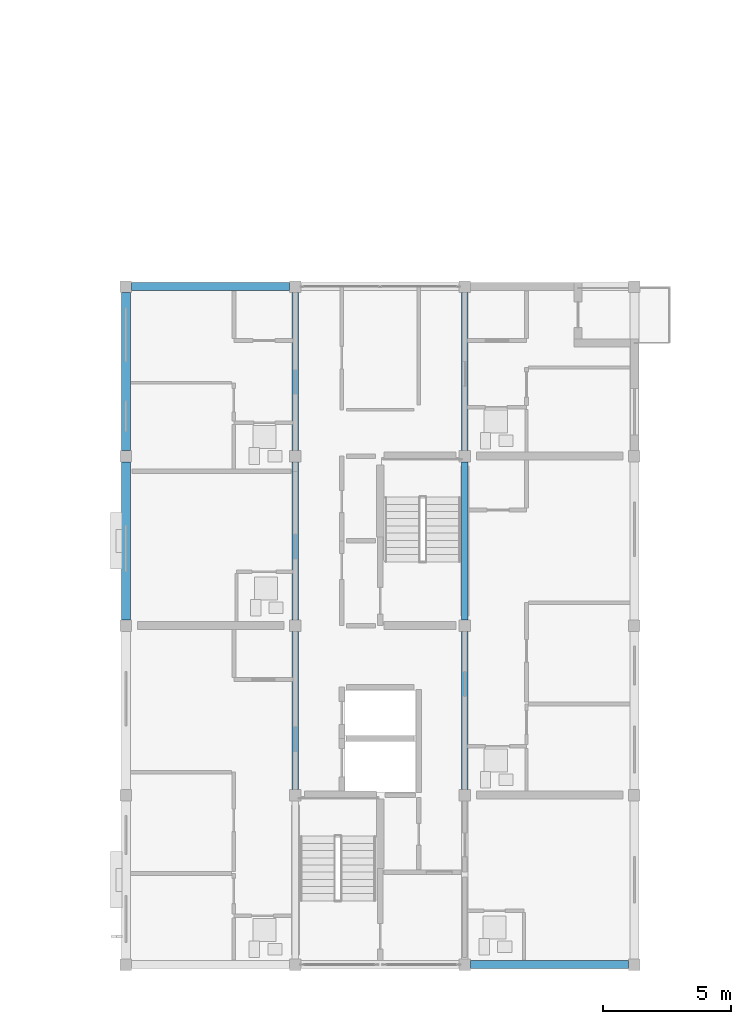
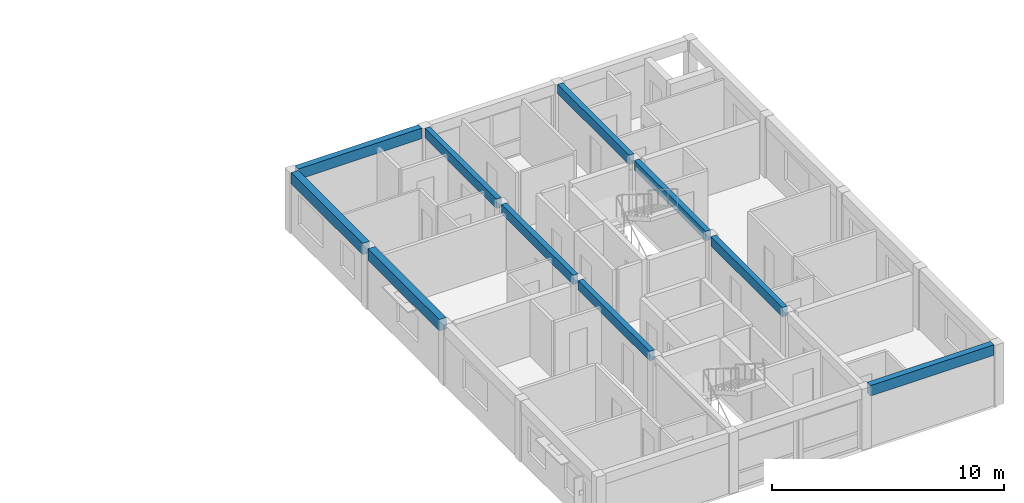
# One storey, part 13 of 53: 10 beams.
"""IFC4 building model written with IfcOpenShell, lengths in metres."""

from ifc_helpers import new_model, si_unit, direction, frame, origin, origin_2d, place, context, subcontext, project, spatial, rectangle, extrude, material, material_profile, profile_set, type_object, element, save


model = new_model("IFC4")

# Units and contexts
model_context = context("Model", 3, precision=1e-05, world=origin(), true_north=direction((0.0, 1.0)))
body_context = subcontext(model_context, "Body", "Model", "MODEL_VIEW")
ifc_project = project(units=[si_unit("LENGTHUNIT", "METRE"), si_unit("AREAUNIT", "SQUARE_METRE"), si_unit("VOLUMEUNIT", "CUBIC_METRE"), si_unit("PLANEANGLEUNIT", "RADIAN"), si_unit("MASSUNIT", "GRAM", prefix="KILO")], contexts=[model_context])

# Site, building, storey
site_placement = place(None, origin())
site = spatial("IfcSite", under=ifc_project, at=site_placement, CompositionType="ELEMENT")
building_placement = place(site_placement, origin())
building = spatial("IfcBuilding", under=site, at=building_placement, Name="Kernevlak Ridge Housing Community", CompositionType="ELEMENT")
storey_placement = place(building_placement, frame((0.0, 0.0, 24.39990234375)))
storey = spatial("IfcBuildingStorey", under=building, at=storey_placement, Name="L07", CompositionType="ELEMENT", Elevation=24.39990234375)

# Beams
ifc_material = material(Name="Concrete C35/45", Category="concrete")
ifc_material_profile_1 = material_profile(ifc_material, rectangle(XDim=0.25, YDim=0.5, at=origin_2d()), Name="RC 250x500")
ifc_profile_set_1 = profile_set([ifc_material_profile_1], Name="Concrete C35/45")
beam_type_1 = type_object("IfcBeamType", Name="B-06", PredefinedType="T_BEAM", material=ifc_profile_set_1)
beam_1_placement = place(storey_placement, frame((132.60009765625, 22.425048828125, 2.9501953125), z_axis=(0.0, 1.0, 0.0), x_axis=(-1.0, 0.0, 0.0)))
element("IfcBeam", 1, at=beam_1_placement, inside=storey, type_object=beam_type_1, Name="Beam B-06 L07 1161", PredefinedType="T_BEAM", context=body_context, shape_type="SweptSolid", body=[
    extrude(rectangle(XDim=0.25, YDim=0.5, at=origin_2d()), origin(), (0.0, 0.0, 1.0), 6.14990234375),
])
beam_2_placement = place(storey_placement, frame((132.60009765625, 29.02490234375, 2.9501953125), z_axis=(0.0, 1.0, 0.0), x_axis=(-1.0, 0.0, 0.0)))
element("IfcBeam", 2, at=beam_2_placement, inside=storey, type_object=beam_type_1, Name="Beam B-06 L07 1162", PredefinedType="T_BEAM", context=body_context, shape_type="SweptSolid", body=[
    extrude(rectangle(XDim=0.25, YDim=0.5, at=origin_2d()), origin(), (0.0, 0.0, 1.0), 6.150146484375),
])
for number, where, z_axis, x_axis, name in (
    (3, (132.60009765625, 35.625, 2.9501953125), (0.0, 1.0, 0.0), (-1.0, 0.0, 0.0), "Beam B-06 L07 1163"),
    (4, (139.199951171875, 22.425048828125, 2.9501953125), (0.0, 1.0, 0.0), (-1.0, 0.0, 0.0), "Beam B-06 L07 1165"),
):
    element("IfcBeam", number, at=place(storey_placement, frame(where, z_axis=z_axis, x_axis=x_axis)), inside=storey, type_object=beam_type_1, Name=name, PredefinedType="T_BEAM", context=body_context, shape_type="SweptSolid", body=[
        extrude(rectangle(XDim=0.25, YDim=0.5, at=origin_2d()), origin(), (0.0, 0.0, 1.0), 6.14990234375),
    ])
beam_3_placement = place(storey_placement, frame((139.199951171875, 29.02490234375, 2.9501953125), z_axis=(0.0, 1.0, 0.0), x_axis=(-1.0, 0.0, 0.0)))
element("IfcBeam", 5, at=beam_3_placement, inside=storey, type_object=beam_type_1, Name="Beam B-06 L07 1166", PredefinedType="T_BEAM", context=body_context, shape_type="SweptSolid", body=[
    extrude(rectangle(XDim=0.25, YDim=0.5, at=origin_2d()), origin(), (0.0, 0.0, 1.0), 6.150146484375),
])
beam_4_placement = place(storey_placement, frame((139.199951171875, 35.625, 2.9501953125), z_axis=(0.0, 1.0, 0.0), x_axis=(-1.0, 0.0, 0.0)))
element("IfcBeam", 6, at=beam_4_placement, inside=storey, type_object=beam_type_1, Name="Beam B-06 L07 1167", PredefinedType="T_BEAM", context=body_context, shape_type="SweptSolid", body=[
    extrude(rectangle(XDim=0.25, YDim=0.5, at=origin_2d()), origin(), (0.0, 0.0, 1.0), 6.14990234375),
])
ifc_material_profile_2 = material_profile(ifc_material, rectangle(XDim=0.300048828125, YDim=0.550048828125, at=origin_2d()), Name="RC 300x550")
ifc_profile_set_2 = profile_set([ifc_material_profile_2], Name="Concrete C35/45")
beam_type_2 = type_object("IfcBeamType", Name="SP-01", PredefinedType="SPANDREL", material=ifc_profile_set_2)
for number, where, z_axis, x_axis, name in (
    (7, (139.425048828125, 15.60009765625, 2.925048828125), (1.0, 0.0, 0.0), (0.0, 1.0, 0.0), "Beam SP-01 L07 1174"),
    (8, (126.22509765625, 42.0, 2.925048828125), (1.0, 0.0, 0.0), (0.0, 1.0, 0.0), "Beam SP-01 L07 1175"),
):
    element("IfcBeam", number, at=place(storey_placement, frame(where, z_axis=z_axis, x_axis=x_axis)), inside=storey, type_object=beam_type_2, Name=name, PredefinedType="SPANDREL", context=body_context, shape_type="SweptSolid", body=[
        extrude(rectangle(XDim=0.300048828125, YDim=0.550048828125, at=origin_2d()), origin(), (0.0, 0.0, 1.0), 6.14990234375),
    ])
ifc_material_profile_3 = material_profile(ifc_material, rectangle(XDim=0.35009765625, YDim=0.60009765625, at=origin_2d()), Name="RC 350x600")
ifc_profile_set_3 = profile_set([ifc_material_profile_3], Name="Concrete C35/45")
beam_type_3 = type_object("IfcBeamType", Name="SP-03", PredefinedType="SPANDREL", material=ifc_profile_set_3)
beam_5_placement = place(storey_placement, frame((126.0, 29.02490234375, 2.900146484375), z_axis=(0.0, 1.0, 0.0), x_axis=(-1.0, 0.0, 0.0)))
element("IfcBeam", 9, at=beam_5_placement, inside=storey, type_object=beam_type_3, Name="Beam SP-03 L07 1158", PredefinedType="SPANDREL", context=body_context, shape_type="SweptSolid", body=[
    extrude(rectangle(XDim=0.35009765625, YDim=0.60009765625, at=origin_2d()), origin(), (0.0, 0.0, 1.0), 6.150146484375),
])
beam_6_placement = place(storey_placement, frame((126.0, 35.625, 2.900146484375), z_axis=(0.0, 1.0, 0.0), x_axis=(-1.0, 0.0, 0.0)))
element("IfcBeam", 10, at=beam_6_placement, inside=storey, type_object=beam_type_3, Name="Beam SP-03 L07 1159", PredefinedType="SPANDREL", context=body_context, shape_type="SweptSolid", body=[
    extrude(rectangle(XDim=0.35009765625, YDim=0.60009765625, at=origin_2d()), origin(), (0.0, 0.0, 1.0), 6.14990234375),
])

save(model, "model.ifc")
